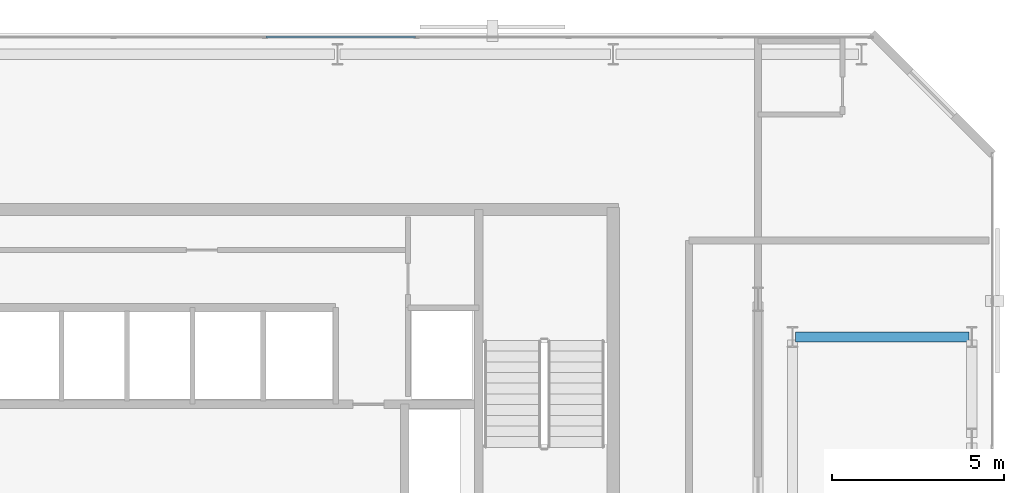
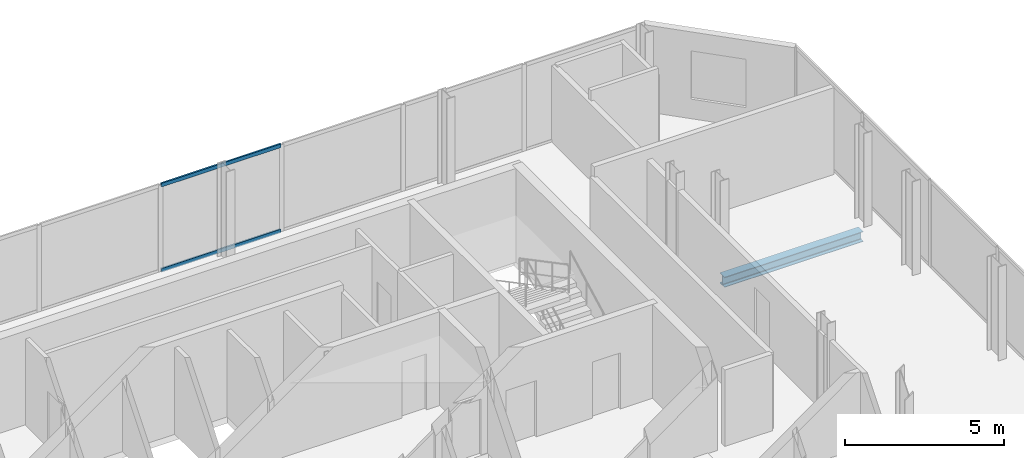
# One storey, part 23 of 32: 2 members, 1 beam, 1 element without a shape of its own.
"""IFC4 building model written with IfcOpenShell, lengths in metres."""

from ifc_helpers import new_model, si_unit, direction, frame, origin, origin_2d, place, context, subcontext, project, spatial, hollow_rectangle, i_section, extrude, material, layer, layer_set, material_profile, profile_set, type_object, element, aggregate, save


model = new_model("IFC4")

# Units and contexts
model_context = context("Model", 3, precision=1e-05, world=origin(), true_north=direction((0.0, 1.0)))
body_context = subcontext(model_context, "Body", "Model", "MODEL_VIEW")
ifc_project = project(units=[si_unit("LENGTHUNIT", "METRE"), si_unit("AREAUNIT", "SQUARE_METRE"), si_unit("VOLUMEUNIT", "CUBIC_METRE"), si_unit("PLANEANGLEUNIT", "RADIAN"), si_unit("MASSUNIT", "GRAM", prefix="KILO")], contexts=[model_context])

# Site, building, storey
site_placement = place(None, origin())
site = spatial("IfcSite", under=ifc_project, at=site_placement, CompositionType="ELEMENT")
building_placement = place(site_placement, origin())
building = spatial("IfcBuilding", under=site, at=building_placement, Name="Catumbela Crestline Tower", CompositionType="ELEMENT")
storey_placement = place(building_placement, frame((0.0, 0.0, 136.8)))
storey = spatial("IfcBuildingStorey", under=building, at=storey_placement, Name="L35", CompositionType="ELEMENT", Elevation=136.8)

# Beam
ifc_material_1 = material(Name="Structural steel S355J2", Category="steel")
ifc_material_profile_1 = material_profile(ifc_material_1, i_section(OverallWidth=0.3, OverallDepth=0.39, WebThickness=0.011, FlangeThickness=0.019, FilletRadius=0.027, at=origin_2d()), Name="HEA 400")
ifc_profile_set_1 = profile_set([ifc_material_profile_1], Name="Structural steel S355J2")
beam_type = type_object("IfcBeamType", Name="BG-HEA400", PredefinedType="BEAM", material=ifc_profile_set_1)
beam_placement = place(storey_placement, frame((45.28, 39.2, -0.455), z_axis=(1.0, 0.0, 0.0), x_axis=(0.0, 1.0, 0.0)))
element("IfcBeam", 1, at=beam_placement, inside=storey, type_object=beam_type, Name="L35 Beam BM-L35-N16", PredefinedType="BEAM", context=body_context, shape_type="SweptSolid", body=[
    extrude(i_section(OverallWidth=0.3, OverallDepth=0.39, WebThickness=0.011, FlangeThickness=0.019, FilletRadius=0.027, at=origin_2d()), origin(), (0.0, 0.0, 1.0), 5.04),
])

# Curtain wall, members
ifc_material_2 = material(Name="Aluminium alloy AW-6060-T66", Category="aluminium")
ifc_layer = layer(ifc_material_2, 0.18, Name="Aluminium alloy AW-6060-T66")
ifc_layer_set = layer_set([ifc_layer], Name="Aluminium alloy AW-6060-T66")
curtain_wall_type = type_object("IfcCurtainWallType", Name="CWU-Z2", PredefinedType="USERDEFINED", material=ifc_layer_set)
curtain_wall_placement = place(storey_placement, origin())
curtain_wall = element("IfcCurtainWall", 2, at=curtain_wall_placement, inside=storey, type_object=curtain_wall_type, Name="L35 Unitised Curtain Wall CW-L35-E7S1", ObjectType="UNITISED", PredefinedType="USERDEFINED")
ifc_material_profile_2 = material_profile(ifc_material_2, hollow_rectangle(XDim=0.06, YDim=0.14, WallThickness=0.004, at=origin_2d()), Name="ALU 140x60x4")
ifc_profile_set_2 = profile_set([ifc_material_profile_2], Name="Aluminium alloy AW-6060-T66")
member_type = type_object("IfcMemberType", Name="TRN-140X60", PredefinedType="USERDEFINED", material=ifc_profile_set_2)
member_1_placement = place(storey_placement, frame((34.2675, 47.9, 0.03), z_axis=(-1.0, 0.0, 0.0), x_axis=(0.0, -1.0, 0.0)))
member_1 = element("IfcMember", 3, at=member_1_placement, type_object=member_type, Name="CWU-Z2 transom 4.1", ObjectType="TRANSOM", PredefinedType="USERDEFINED", context=body_context, shape_type="SweptSolid", body=[
    extrude(hollow_rectangle(XDim=0.06, YDim=0.14, WallThickness=0.004, at=origin_2d()), origin(), (0.0, 0.0, 1.0), 4.335),
])
member_2_placement = place(storey_placement, frame((34.2675, 47.9, 3.3), z_axis=(-1.0, 0.0, 0.0), x_axis=(0.0, -1.0, 0.0)))
member_2 = element("IfcMember", 4, at=member_2_placement, type_object=member_type, Name="CWU-Z2 transom 4.2", ObjectType="TRANSOM", PredefinedType="USERDEFINED", context=body_context, shape_type="SweptSolid", body=[
    extrude(hollow_rectangle(XDim=0.06, YDim=0.14, WallThickness=0.004, at=origin_2d()), origin(), (0.0, 0.0, 1.0), 4.335),
])
aggregate(curtain_wall, [member_1, member_2])

save(model, "model.ifc")
